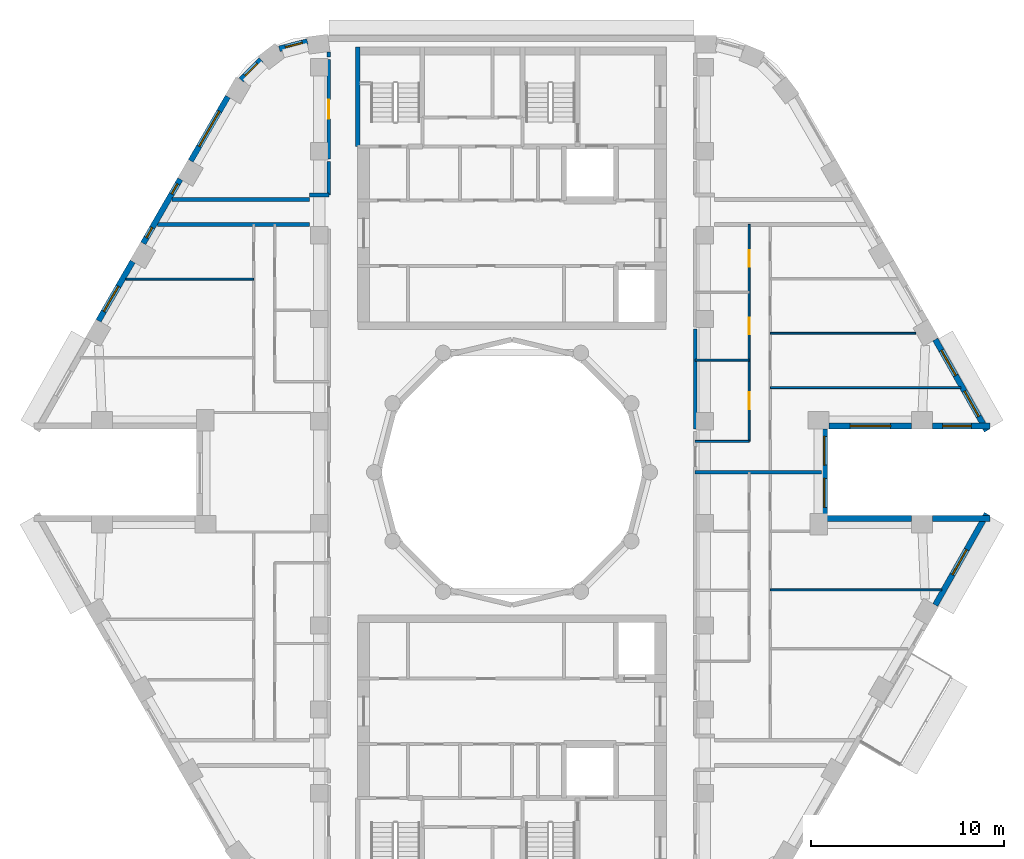
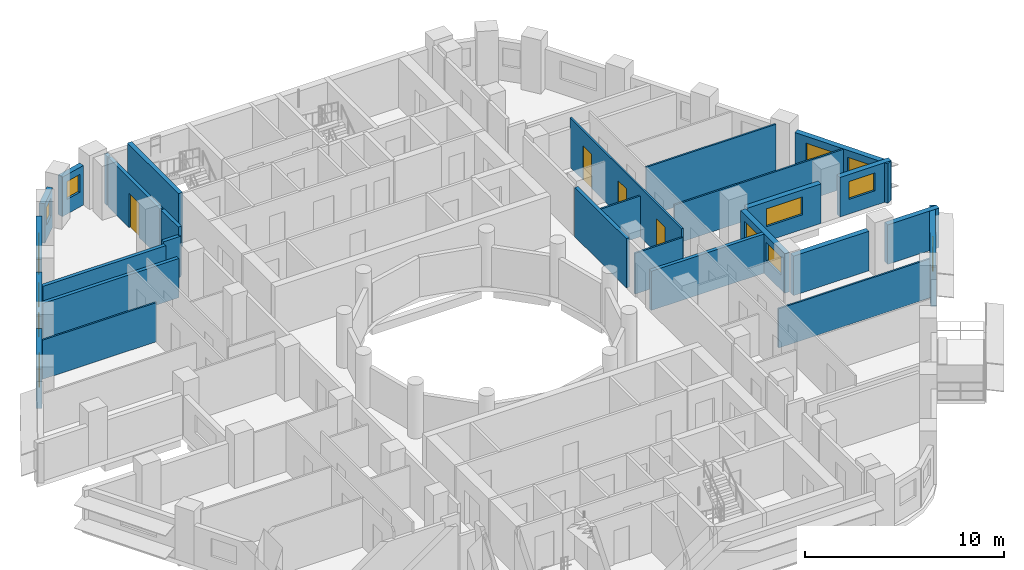
# One storey, part 6 of 12: 28 walls, 13 windows, 4 doors, 17 openings.
"""IFC4 building model written with IfcOpenShell, lengths in metres."""

from ifc_helpers import new_model, si_unit, direction, frame, frame_2d, origin, place, context, subcontext, project, spatial, rectangle, extrude, material, layer, layer_set, type_object, element, fill, save


model = new_model("IFC4")

# Units and contexts
model_context = context("Model", 3, precision=1e-05, world=origin(), true_north=direction((0.0, 1.0)))
body_context = subcontext(model_context, "Body", "Model", "MODEL_VIEW")
ifc_project = project(units=[si_unit("LENGTHUNIT", "METRE"), si_unit("AREAUNIT", "SQUARE_METRE"), si_unit("VOLUMEUNIT", "CUBIC_METRE"), si_unit("PLANEANGLEUNIT", "RADIAN"), si_unit("MASSUNIT", "GRAM", prefix="KILO")], contexts=[model_context])

# Site, building, storey
site_placement = place(None, origin())
site = spatial("IfcSite", under=ifc_project, at=site_placement, CompositionType="ELEMENT")
building_placement = place(site_placement, origin())
building = spatial("IfcBuilding", under=site, at=building_placement, Name="Nakaniwa Court", CompositionType="ELEMENT")
storey_placement = place(building_placement, frame((0.0, 0.0, 229.5)))
storey = spatial("IfcBuildingStorey", under=building, at=storey_placement, Name="L59", CompositionType="ELEMENT", Elevation=229.5)

# Walls
ifc_material_1 = material(Name="Acoustic double stud partition")
ifc_layer_1 = layer(ifc_material_1, 0.199951171875)
ifc_layer_set_1 = layer_set([ifc_layer_1], Name="Acoustic double stud partition")
wall_type_1 = type_object("IfcWallType", Name="Acoustic double stud partition 200", PredefinedType="PARTITIONING", material=ifc_layer_set_1)
wall_1_placement = place(storey_placement, frame((89.5, 82.237060546875, 0.0), z_axis=(0.0, 0.0, 1.0), x_axis=(0.0, 1.0, 0.0)))
element("IfcWall", 1, at=wall_1_placement, inside=storey, type_object=wall_type_1, Name="Partition PW-062", PredefinedType="PARTITIONING", context=body_context, shape_type="SweptSolid", body=[
    extrude(rectangle(XDim=5.18603515625, YDim=0.199951171875, at=frame_2d((2.593017578125, 0.0))), origin(), (0.0, 0.0, 1.0), 3.02490234375),
])
wall_2_placement = place(storey_placement, frame((61.611328125, 92.85009765625, 0.0), z_axis=(0.0, 0.0, 1.0), x_axis=(1.0, 0.0, 0.0)))
element("IfcWall", 2, at=wall_2_placement, inside=storey, type_object=wall_type_1, Name="Partition PW-067", PredefinedType="PARTITIONING", context=body_context, shape_type="SweptSolid", body=[
    extrude(rectangle(XDim=7.888671875, YDim=0.199951171875, at=frame_2d((3.9443359375, 0.0))), origin(), (0.0, 0.0, 1.0), 2.405029296875),
])
wall_3_placement = place(storey_placement, frame((69.5, 94.375, 0.0), z_axis=(0.0, 0.0, 1.0), x_axis=(1.0, 0.0, 0.0)))
element("IfcWall", 3, at=wall_3_placement, inside=storey, type_object=wall_type_1, Name="Partition PW-069", PredefinedType="PARTITIONING", context=body_context, shape_type="SweptSolid", body=[
    extrude(rectangle(XDim=1.0, YDim=0.199951171875, at=frame_2d((0.5, 0.0))), origin(), (0.0, 0.0, 1.0), 2.5048828125),
])
wall_4_placement = place(storey_placement, frame((62.36181640625, 94.14990234375, 0.0), z_axis=(0.0, 0.0, 1.0), x_axis=(1.0, 0.0, 0.0)))
element("IfcWall", 4, at=wall_4_placement, inside=storey, type_object=wall_type_1, Name="Partition PW-071", PredefinedType="PARTITIONING", context=body_context, shape_type="SweptSolid", body=[
    extrude(rectangle(XDim=7.13818359375, YDim=0.199951171875, at=frame_2d((3.569091796875, 0.0))), origin(), (0.0, 0.0, 1.0), 2.405029296875),
])
wall_5_placement = place(storey_placement, frame((70.5, 94.3720703125, 0.0), z_axis=(0.0, 0.0, 1.0), x_axis=(0.0, 1.0, 0.0)))
element("IfcWall", 5, at=wall_5_placement, inside=storey, type_object=wall_type_1, Name="Partition PW-087", PredefinedType="PARTITIONING", context=body_context, shape_type="SweptSolid", body=[
    extrude(rectangle(XDim=1.7509765625, YDim=0.199951171875, at=frame_2d((0.87548828125, 0.0))), origin(), (0.0, 0.0, 1.0), 3.02490234375),
])

# Wall, opening, door
wall_6_placement = place(storey_placement, frame((70.5, 96.237060546875, 0.0), z_axis=(0.0, 0.0, 1.0), x_axis=(0.0, 1.0, 0.0)))
wall_6 = element("IfcWall", 6, at=wall_6_placement, inside=storey, type_object=wall_type_1, Name="Partition PW-088", PredefinedType="PARTITIONING", context=body_context, shape_type="SweptSolid", body=[
    extrude(rectangle(XDim=5.176025390625, YDim=0.199951171875, at=frame_2d((2.587890625, 0.0))), origin(), (0.0, 0.0, 1.0), 3.02490234375),
])
opening_1_placement = place(wall_6_placement, frame((2.087890625, 0.0, 0.0)))
opening_1 = element("IfcOpeningElement", 7, at=opening_1_placement, cuts=wall_6, Name="Opening D-02-05", PredefinedType="OPENING", context=body_context, shape_type="SweptSolid", body=[
    extrude(rectangle(XDim=1.0, YDim=2.10009765625, at=frame_2d((0.5, 1.050048828125))), frame((0.0, 0.10986328125, 0.0), z_axis=(0.0, -1.0, 0.0), x_axis=(1.0, 0.0, 0.0)), (0.0, 0.0, 1.0), 0.219970703125),
])
ifc_material_2 = material(Name="Solid core timber door set, black veneer", Category="wood")
door_type_1 = type_object("IfcDoorType", Name="Internal door 1000", OperationType="NOTDEFINED", PredefinedType="DOOR", material=ifc_material_2)
door_1_placement = place(opening_1_placement, origin())
door_1 = element("IfcDoor", 8, at=door_1_placement, inside=storey, type_object=door_type_1, Name="Door D-02-05 L59-061", OperationType="SINGLE_SWING_RIGHT", OverallHeight=2.10009765625, OverallWidth=1.0, PredefinedType="DOOR", context=body_context, shape_type="SweptSolid", body=[
    extrude(rectangle(XDim=1.0, YDim=2.10009765625, at=frame_2d((0.5, 1.050048828125))), frame((0.0, 0.02490234375, 0.0), z_axis=(0.0, -1.0, 0.0), x_axis=(1.0, 0.0, 0.0)), (0.0, 0.0, 1.0), 0.050048828125),
])
fill(opening_1, door_1)

# Walls
wall_7_placement = place(storey_placement, frame((70.5, 101.527099609375, 0.0), z_axis=(0.0, 0.0, 1.0), x_axis=(0.0, 1.0, 0.0)))
element("IfcWall", 9, at=wall_7_placement, inside=storey, type_object=wall_type_1, Name="Partition PW-089", PredefinedType="PARTITIONING", context=body_context, shape_type="SweptSolid", body=[
    extrude(rectangle(XDim=0.273681640625, YDim=0.199951171875, at=frame_2d((0.13671875, 0.0))), origin(), (0.0, 0.0, 1.0), 3.02490234375),
])
wall_8_placement = place(storey_placement, frame((89.5, 80.0, 0.0), z_axis=(0.0, 0.0, 1.0), x_axis=(1.0, 0.0, 0.0)))
element("IfcWall", 10, at=wall_8_placement, inside=storey, type_object=wall_type_1, Name="Partition PW-095", PredefinedType="PARTITIONING", context=body_context, shape_type="SweptSolid", body=[
    extrude(rectangle(XDim=6.549560546875, YDim=0.199951171875, at=frame_2d((3.27490234375, 0.0))), origin(), (0.0, 0.0, 1.0), 2.405029296875),
])

# Wall, opening, window
ifc_material_3 = material(Name="Charcoal ceramic cladding")
ifc_layer_2 = layer(ifc_material_3, 0.02, Name="Ceramic cladding")
ifc_material_4 = material(Name="Ventilated air cavity")
ifc_layer_3 = layer(ifc_material_4, 0.04, ventilated=True, Name="Ventilated cavity")
ifc_material_5 = material(Name="Mineral wool insulation")
ifc_layer_4 = layer(ifc_material_5, 0.1, Name="Insulation")
ifc_material_6 = material(Name="Cement bonded sheathing board")
ifc_layer_5 = layer(ifc_material_6, 0.012, Name="Sheathing")
ifc_material_7 = material(Name="Cold-formed galvanised stud frame with mineral wool infill")
ifc_layer_6 = layer(ifc_material_7, 0.1, Name="Stud frame")
ifc_material_8 = material(Name="Fire-rated gypsum plasterboard lining")
ifc_layer_7 = layer(ifc_material_8, 0.028, Name="Lining")
ifc_layer_set_2 = layer_set([ifc_layer_2, ifc_layer_3, ifc_layer_4, ifc_layer_5, ifc_layer_6, ifc_layer_7], Name="Charcoal ceramic faced external wall system")
wall_type_2 = type_object("IfcWallType", Name="Black ceramic faced external wall 300", PredefinedType="SOLIDWALL", material=ifc_layer_set_2)
wall_9_placement = place(storey_placement, frame((96.445556640625, 82.39990234375, 0.0), z_axis=(0.0, 0.0, 1.0), x_axis=(1.0, 0.0, 0.0)))
wall_9 = element("IfcWall", 11, at=wall_9_placement, inside=storey, type_object=wall_type_2, Name="L59 external wall 00", PredefinedType="SOLIDWALL", context=body_context, shape_type="SweptSolid", body=[
    extrude(rectangle(XDim=4.2724609375, YDim=0.300048828125, at=frame_2d((2.13623046875, 0.0))), origin(), (0.0, 0.0, 1.0), 2.425048828125),
])
opening_2_placement = place(wall_9_placement, frame((1.086181640625, 0.0, 0.89990234375)))
opening_2 = element("IfcOpeningElement", 12, at=opening_2_placement, cuts=wall_9, Name="Opening W7.01", PredefinedType="OPENING", context=body_context, shape_type="SweptSolid", body=[
    extrude(rectangle(XDim=2.10009765625, YDim=1.10009765625, at=frame_2d((1.050048828125, 0.550048828125))), frame((0.0, 0.159912109375, 0.0), z_axis=(0.0, -1.0, 0.0), x_axis=(1.0, 0.0, 0.0)), (0.0, 0.0, 1.0), 0.320068359375),
])
ifc_material_9 = material(Name="Black anodised aluminium frame with dark low-E laminated double glazing", Category="aluminium")
window_type_1 = type_object("IfcWindowType", Name="Dark glass window 2100x1100 sill 900", PartitioningType="SINGLE_PANEL", PredefinedType="WINDOW", material=ifc_material_9)
window_1_placement = place(opening_2_placement, origin())
window_1 = element("IfcWindow", 13, at=window_1_placement, inside=storey, type_object=window_type_1, Name="L59 living window 00-0", OverallHeight=1.10009765625, OverallWidth=2.10009765625, PartitioningType="SINGLE_PANEL", PredefinedType="WINDOW", context=body_context, shape_type="SweptSolid", body=[
    extrude(rectangle(XDim=2.10009765625, YDim=1.10009765625, at=frame_2d((1.050048828125, 0.550048828125))), frame((0.0, 0.030029296875, 0.0), z_axis=(0.0, -1.0, 0.0), x_axis=(1.0, 0.0, 0.0)), (0.0, 0.0, 1.0), 0.06005859375),
])
fill(opening_2, window_1)

wall_10_placement = place(storey_placement, frame((101.81005859375, 82.39990234375, 0.0), z_axis=(0.0, 0.0, 1.0), x_axis=(1.0, 0.0, 0.0)))
wall_10 = element("IfcWall", 14, at=wall_10_placement, inside=storey, type_object=wall_type_2, Name="L59 external wall 01", PredefinedType="SOLIDWALL", context=body_context, shape_type="SweptSolid", body=[
    extrude(rectangle(XDim=2.98779296875, YDim=0.300048828125, at=frame_2d((1.493896484375, 0.0))), origin(), (0.0, 0.0, 1.0), 2.425048828125),
])
opening_3_placement = place(wall_10_placement, frame((0.51904296875, 0.0, 0.89990234375)))
opening_3 = element("IfcOpeningElement", 15, at=opening_3_placement, cuts=wall_10, Name="Opening W5.02", PredefinedType="OPENING", context=body_context, shape_type="SweptSolid", body=[
    extrude(rectangle(XDim=1.5, YDim=1.10009765625, at=frame_2d((0.75, 0.550048828125))), frame((0.0, 0.159912109375, 0.0), z_axis=(0.0, -1.0, 0.0), x_axis=(1.0, 0.0, 0.0)), (0.0, 0.0, 1.0), 0.320068359375),
])
window_type_2 = type_object("IfcWindowType", Name="Dark glass window 1500x1100 sill 900", PartitioningType="SINGLE_PANEL", PredefinedType="WINDOW", material=ifc_material_9)
window_2_placement = place(opening_3_placement, origin())
window_2 = element("IfcWindow", 16, at=window_2_placement, inside=storey, type_object=window_type_2, Name="L59 living window 01-0", OverallHeight=1.10009765625, OverallWidth=1.5, PartitioningType="SINGLE_PANEL", PredefinedType="WINDOW", context=body_context, shape_type="SweptSolid", body=[
    extrude(rectangle(XDim=1.5, YDim=1.10009765625, at=frame_2d((0.75, 0.550048828125))), frame((0.0, 0.030029296875, 0.0), z_axis=(0.0, -1.0, 0.0), x_axis=(1.0, 0.0, 0.0)), (0.0, 0.0, 1.0), 0.06005859375),
])
fill(opening_3, window_2)

# Wall, openings, windows
wall_11_placement = place(storey_placement, frame((104.627197265625, 82.153564453125, 0.0), z_axis=(0.0, 0.0, 1.0), x_axis=(-0.492080931903, 0.870549456641, 0.0)))
wall_11 = element("IfcWall", 17, at=wall_11_placement, inside=storey, type_object=wall_type_2, Name="L59 external wall 02", PredefinedType="SOLIDWALL", context=body_context, shape_type="SweptSolid", body=[
    extrude(rectangle(XDim=5.436767578125, YDim=0.300048828125, at=frame_2d((2.71826171875, 0.0))), origin(), (0.0, 0.0, 1.0), 2.425048828125),
])
opening_4_placement = place(wall_11_placement, frame((0.857177734375, 0.0, 0.89990234375)))
opening_4 = element("IfcOpeningElement", 18, at=opening_4_placement, cuts=wall_11, Name="Opening W5.03", PredefinedType="OPENING", context=body_context, shape_type="SweptSolid", body=[
    extrude(rectangle(XDim=1.5, YDim=1.10009765625, at=frame_2d((0.75, 0.550048828125))), frame((0.0, 0.159912109375, 0.0), z_axis=(0.0, -1.0, 0.0), x_axis=(1.0, 0.0, 0.0)), (0.0, 0.0, 1.0), 0.320068359375),
])
opening_5_placement = place(wall_11_placement, frame((3.287109375, 0.0, 0.89990234375)))
opening_5 = element("IfcOpeningElement", 19, at=opening_5_placement, cuts=wall_11, Name="Opening W5.04", PredefinedType="OPENING", context=body_context, shape_type="SweptSolid", body=[
    extrude(rectangle(XDim=1.5, YDim=1.10009765625, at=frame_2d((0.75, 0.550048828125))), frame((0.0, 0.159912109375, 0.0), z_axis=(0.0, -1.0, 0.0), x_axis=(1.0, 0.0, 0.0)), (0.0, 0.0, 1.0), 0.320068359375),
])
window_3_placement = place(opening_4_placement, origin())
window_3 = element("IfcWindow", 20, at=window_3_placement, inside=storey, type_object=window_type_2, Name="L59 living window 02-0", OverallHeight=1.10009765625, OverallWidth=1.5, PartitioningType="SINGLE_PANEL", PredefinedType="WINDOW", context=body_context, shape_type="SweptSolid", body=[
    extrude(rectangle(XDim=1.5, YDim=1.10009765625, at=frame_2d((0.75, 0.550048828125))), frame((0.0, 0.030029296875, 0.0), z_axis=(0.0, -1.0, 0.0), x_axis=(1.0, 0.0, 0.0)), (0.0, 0.0, 1.0), 0.06005859375),
])
fill(opening_4, window_3)
window_4_placement = place(opening_5_placement, origin())
window_4 = element("IfcWindow", 21, at=window_4_placement, inside=storey, type_object=window_type_2, Name="L59 bedroom window 02-1", OverallHeight=1.10009765625, OverallWidth=1.5, PartitioningType="SINGLE_PANEL", PredefinedType="WINDOW", context=body_context, shape_type="SweptSolid", body=[
    extrude(rectangle(XDim=1.5, YDim=1.10009765625, at=frame_2d((0.75, 0.550048828125))), frame((0.0, 0.030029296875, 0.0), z_axis=(0.0, -1.0, 0.0), x_axis=(1.0, 0.0, 0.0)), (0.0, 0.0, 1.0), 0.06005859375),
])
fill(opening_5, window_4)

# Wall, opening, window
wall_12_placement = place(storey_placement, frame((69.386474609375, 102.333251953125, 0.0), z_axis=(0.0, 0.0, 1.0), x_axis=(-0.968895303033, -0.247470991757, 0.0)))
wall_12 = element("IfcWall", 22, at=wall_12_placement, inside=storey, type_object=wall_type_2, Name="L59 external wall 09", PredefinedType="SOLIDWALL", context=body_context, shape_type="SweptSolid", body=[
    extrude(rectangle(XDim=1.50048828125, YDim=0.300048828125, at=frame_2d((0.750244140625, 0.0))), origin(), (0.0, 0.0, 1.0), 2.425048828125),
])
opening_6_placement = place(wall_12_placement, frame((0.27587890625, 0.0, 0.89990234375)))
opening_6 = element("IfcOpeningElement", 23, at=opening_6_placement, cuts=wall_12, Name="Opening W9.11", PredefinedType="OPENING", context=body_context, shape_type="SweptSolid", body=[
    extrude(rectangle(XDim=0.89990234375, YDim=1.10009765625, at=frame_2d((0.449951171875, 0.550048828125))), frame((0.0, 0.159912109375, 0.0), z_axis=(0.0, -1.0, 0.0), x_axis=(1.0, 0.0, 0.0)), (0.0, 0.0, 1.0), 0.320068359375),
])
window_type_3 = type_object("IfcWindowType", Name="Dark glass window 900x1100 sill 900", PartitioningType="SINGLE_PANEL", PredefinedType="WINDOW", material=ifc_material_9)
window_5_placement = place(opening_6_placement, origin())
window_5 = element("IfcWindow", 24, at=window_5_placement, inside=storey, type_object=window_type_3, Name="L59 habitable room window 09-0", OverallHeight=1.10009765625, OverallWidth=0.89990234375, PartitioningType="SINGLE_PANEL", PredefinedType="WINDOW", context=body_context, shape_type="SweptSolid", body=[
    extrude(rectangle(XDim=0.89990234375, YDim=1.10009765625, at=frame_2d((0.449951171875, 0.550048828125))), frame((0.0, 0.030029296875, 0.0), z_axis=(0.0, -1.0, 0.0), x_axis=(1.0, 0.0, 0.0)), (0.0, 0.0, 1.0), 0.06005859375),
])
fill(opening_6, window_5)

wall_13_placement = place(storey_placement, frame((66.99560546875, 101.388427734375, 0.0), z_axis=(0.0, 0.0, 1.0), x_axis=(-0.708589353117, -0.705621094249, 0.0)))
wall_13 = element("IfcWall", 25, at=wall_13_placement, inside=storey, type_object=wall_type_2, Name="L59 external wall 10", PredefinedType="SOLIDWALL", context=body_context, shape_type="SweptSolid", body=[
    extrude(rectangle(XDim=1.48046875, YDim=0.300048828125, at=frame_2d((0.740234375, 0.0))), origin(), (0.0, 0.0, 1.0), 2.425048828125),
])
opening_7_placement = place(wall_13_placement, frame((0.27978515625, 0.0, 0.89990234375)))
opening_7 = element("IfcOpeningElement", 26, at=opening_7_placement, cuts=wall_13, Name="Opening W9.12", PredefinedType="OPENING", context=body_context, shape_type="SweptSolid", body=[
    extrude(rectangle(XDim=0.89990234375, YDim=1.10009765625, at=frame_2d((0.449951171875, 0.550048828125))), frame((0.0, 0.159912109375, 0.0), z_axis=(0.0, -1.0, 0.0), x_axis=(1.0, 0.0, 0.0)), (0.0, 0.0, 1.0), 0.320068359375),
])
window_6_placement = place(opening_7_placement, origin())
window_6 = element("IfcWindow", 27, at=window_6_placement, inside=storey, type_object=window_type_3, Name="L59 habitable room window 10-0", OverallHeight=1.10009765625, OverallWidth=0.89990234375, PartitioningType="SINGLE_PANEL", PredefinedType="WINDOW", context=body_context, shape_type="SweptSolid", body=[
    extrude(rectangle(XDim=0.89990234375, YDim=1.10009765625, at=frame_2d((0.449951171875, 0.550048828125))), frame((0.0, 0.030029296875, 0.0), z_axis=(0.0, -1.0, 0.0), x_axis=(1.0, 0.0, 0.0)), (0.0, 0.0, 1.0), 0.06005859375),
])
fill(opening_7, window_6)

wall_14_placement = place(storey_placement, frame((65.26416015625, 99.476806640625, 0.0), z_axis=(0.0, 0.0, 1.0), x_axis=(-0.499984490703, -0.866034357896, 0.0)))
wall_14 = element("IfcWall", 28, at=wall_14_placement, inside=storey, type_object=wall_type_2, Name="L59 external wall 11", PredefinedType="SOLIDWALL", context=body_context, shape_type="SweptSolid", body=[
    extrude(rectangle(XDim=3.84423828125, YDim=0.300048828125, at=frame_2d((1.922119140625, 0.0))), origin(), (0.0, 0.0, 1.0), 2.425048828125),
])
opening_8_placement = place(wall_14_placement, frame((0.8720703125, 0.0, 0.89990234375)))
opening_8 = element("IfcOpeningElement", 29, at=opening_8_placement, cuts=wall_14, Name="Opening W7.13", PredefinedType="OPENING", context=body_context, shape_type="SweptSolid", body=[
    extrude(rectangle(XDim=2.10009765625, YDim=1.10009765625, at=frame_2d((1.050048828125, 0.550048828125))), frame((0.0, 0.159912109375, 0.0), z_axis=(0.0, -1.0, 0.0), x_axis=(1.0, 0.0, 0.0)), (0.0, 0.0, 1.0), 0.320068359375),
])
window_7_placement = place(opening_8_placement, origin())
window_7 = element("IfcWindow", 30, at=window_7_placement, inside=storey, type_object=window_type_1, Name="L59 habitable room window 11-0", OverallHeight=1.10009765625, OverallWidth=2.10009765625, PartitioningType="SINGLE_PANEL", PredefinedType="WINDOW", context=body_context, shape_type="SweptSolid", body=[
    extrude(rectangle(XDim=2.10009765625, YDim=1.10009765625, at=frame_2d((1.050048828125, 0.550048828125))), frame((0.0, 0.030029296875, 0.0), z_axis=(0.0, -1.0, 0.0), x_axis=(1.0, 0.0, 0.0)), (0.0, 0.0, 1.0), 0.06005859375),
])
fill(opening_8, window_7)

# Wall, openings, windows
wall_15_placement = place(storey_placement, frame((62.7958984375, 95.201904296875, 0.0), z_axis=(0.0, 0.0, 1.0), x_axis=(-0.499984490703, -0.866034357896, 0.0)))
wall_15 = element("IfcWall", 31, at=wall_15_placement, inside=storey, type_object=wall_type_2, Name="L59 external wall 12", PredefinedType="SOLIDWALL", context=body_context, shape_type="SweptSolid", body=[
    extrude(rectangle(XDim=3.84423828125, YDim=0.300048828125, at=frame_2d((1.922119140625, 0.0))), origin(), (0.0, 0.0, 1.0), 2.425048828125),
])
opening_9_placement = place(wall_15_placement, frame((0.283203125, 0.0, 0.89990234375)))
opening_9 = element("IfcOpeningElement", 32, at=opening_9_placement, cuts=wall_15, Name="Opening W8.14", PredefinedType="OPENING", context=body_context, shape_type="SweptSolid", body=[
    extrude(rectangle(XDim=0.60009765625, YDim=1.10009765625, at=frame_2d((0.300048828125, 0.550048828125))), frame((0.0, 0.159912109375, 0.0), z_axis=(0.0, -1.0, 0.0), x_axis=(1.0, 0.0, 0.0)), (0.0, 0.0, 1.0), 0.320068359375),
])
opening_10_placement = place(wall_15_placement, frame((2.906005859375, 0.0, 0.89990234375)))
opening_10 = element("IfcOpeningElement", 33, at=opening_10_placement, cuts=wall_15, Name="Opening W8.15", PredefinedType="OPENING", context=body_context, shape_type="SweptSolid", body=[
    extrude(rectangle(XDim=0.60009765625, YDim=1.10009765625, at=frame_2d((0.300048828125, 0.550048828125))), frame((0.0, 0.159912109375, 0.0), z_axis=(0.0, -1.0, 0.0), x_axis=(1.0, 0.0, 0.0)), (0.0, 0.0, 1.0), 0.320068359375),
])
window_type_4 = type_object("IfcWindowType", Name="Dark glass window 600x1100 sill 900", PartitioningType="SINGLE_PANEL", PredefinedType="WINDOW", material=ifc_material_9)
window_8_placement = place(opening_9_placement, origin())
window_8 = element("IfcWindow", 34, at=window_8_placement, inside=storey, type_object=window_type_4, Name="L59 habitable room window 12-0", OverallHeight=1.10009765625, OverallWidth=0.60009765625, PartitioningType="SINGLE_PANEL", PredefinedType="WINDOW", context=body_context, shape_type="SweptSolid", body=[
    extrude(rectangle(XDim=0.60009765625, YDim=1.10009765625, at=frame_2d((0.300048828125, 0.550048828125))), frame((0.0, 0.030029296875, 0.0), z_axis=(0.0, -1.0, 0.0), x_axis=(1.0, 0.0, 0.0)), (0.0, 0.0, 1.0), 0.06005859375),
])
fill(opening_9, window_8)
window_9_placement = place(opening_10_placement, origin())
window_9 = element("IfcWindow", 35, at=window_9_placement, inside=storey, type_object=window_type_4, Name="L59 bedroom window 12-2", OverallHeight=1.10009765625, OverallWidth=0.60009765625, PartitioningType="SINGLE_PANEL", PredefinedType="WINDOW", context=body_context, shape_type="SweptSolid", body=[
    extrude(rectangle(XDim=0.60009765625, YDim=1.10009765625, at=frame_2d((0.300048828125, 0.550048828125))), frame((0.0, 0.030029296875, 0.0), z_axis=(0.0, -1.0, 0.0), x_axis=(1.0, 0.0, 0.0)), (0.0, 0.0, 1.0), 0.06005859375),
])
fill(opening_10, window_9)

# Wall, opening, window
wall_16_placement = place(storey_placement, frame((60.327880859375, 90.927001953125, 0.0), z_axis=(0.0, 0.0, 1.0), x_axis=(-0.500010404316, -0.866019396766, 0.0)))
wall_16 = element("IfcWall", 36, at=wall_16_placement, inside=storey, type_object=wall_type_2, Name="L59 external wall 13", PredefinedType="SOLIDWALL", context=body_context, shape_type="SweptSolid", body=[
    extrude(rectangle(XDim=3.54736328125, YDim=0.300048828125, at=frame_2d((1.773681640625, 0.0))), origin(), (0.0, 0.0, 1.0), 2.425048828125),
])
opening_11_placement = place(wall_16_placement, frame((1.486328125, 0.0, 0.89990234375)))
opening_11 = element("IfcOpeningElement", 37, at=opening_11_placement, cuts=wall_16, Name="Opening W5.16", PredefinedType="OPENING", context=body_context, shape_type="SweptSolid", body=[
    extrude(rectangle(XDim=1.5, YDim=1.10009765625, at=frame_2d((0.75, 0.550048828125))), frame((0.0, 0.159912109375, 0.0), z_axis=(0.0, -1.0, 0.0), x_axis=(1.0, 0.0, 0.0)), (0.0, 0.0, 1.0), 0.320068359375),
])
window_10_placement = place(opening_11_placement, origin())
window_10 = element("IfcWindow", 38, at=window_10_placement, inside=storey, type_object=window_type_2, Name="L59 living window 13-1", OverallHeight=1.10009765625, OverallWidth=1.5, PartitioningType="SINGLE_PANEL", PredefinedType="WINDOW", context=body_context, shape_type="SweptSolid", body=[
    extrude(rectangle(XDim=1.5, YDim=1.10009765625, at=frame_2d((0.75, 0.550048828125))), frame((0.0, 0.030029296875, 0.0), z_axis=(0.0, -1.0, 0.0), x_axis=(1.0, 0.0, 0.0)), (0.0, 0.0, 1.0), 0.06005859375),
])
fill(opening_11, window_10)

wall_17_placement = place(storey_placement, frame((101.951904296875, 73.113525390625, 0.0), z_axis=(0.0, 0.0, 1.0), x_axis=(0.492080931903, 0.870549456641, 0.0)))
wall_17 = element("IfcWall", 39, at=wall_17_placement, inside=storey, type_object=wall_type_2, Name="L59 external wall 32", PredefinedType="SOLIDWALL", context=body_context, shape_type="SweptSolid", body=[
    extrude(rectangle(XDim=5.436767578125, YDim=0.300048828125, at=frame_2d((2.71826171875, 0.0))), origin(), (0.0, 0.0, 1.0), 2.425048828125),
])
opening_12_placement = place(wall_17_placement, frame((1.806884765625, 0.0, 0.89990234375)))
opening_12 = element("IfcOpeningElement", 40, at=opening_12_placement, cuts=wall_17, Name="Opening W5.30", PredefinedType="OPENING", context=body_context, shape_type="SweptSolid", body=[
    extrude(rectangle(XDim=1.5, YDim=1.10009765625, at=frame_2d((0.75, 0.550048828125))), frame((0.0, 0.159912109375, 0.0), z_axis=(0.0, -1.0, 0.0), x_axis=(1.0, 0.0, 0.0)), (0.0, 0.0, 1.0), 0.320068359375),
])
window_11_placement = place(opening_12_placement, origin())
window_11 = element("IfcWindow", 41, at=window_11_placement, inside=storey, type_object=window_type_2, Name="L59 bedroom window 32-1", OverallHeight=1.10009765625, OverallWidth=1.5, PartitioningType="SINGLE_PANEL", PredefinedType="WINDOW", context=body_context, shape_type="SweptSolid", body=[
    extrude(rectangle(XDim=1.5, YDim=1.10009765625, at=frame_2d((0.75, 0.550048828125))), frame((0.0, 0.030029296875, 0.0), z_axis=(0.0, -1.0, 0.0), x_axis=(1.0, 0.0, 0.0)), (0.0, 0.0, 1.0), 0.06005859375),
])
fill(opening_12, window_11)

# Walls
wall_18_placement = place(storey_placement, frame((104.7978515625, 77.60009765625, 0.0), z_axis=(0.0, 0.0, 1.0), x_axis=(-1.0, 0.0, 0.0)))
element("IfcWall", 42, at=wall_18_placement, inside=storey, type_object=wall_type_2, Name="L59 external wall 33", PredefinedType="SOLIDWALL", context=body_context, shape_type="SweptSolid", body=[
    extrude(rectangle(XDim=2.98779296875, YDim=0.300048828125, at=frame_2d((1.493896484375, 0.0))), origin(), (0.0, 0.0, 1.0), 2.425048828125),
])
wall_19_placement = place(storey_placement, frame((100.718017578125, 77.60009765625, 0.0), z_axis=(0.0, 0.0, 1.0), x_axis=(-1.0, 0.0, 0.0)))
element("IfcWall", 43, at=wall_19_placement, inside=storey, type_object=wall_type_2, Name="L59 external wall 34", PredefinedType="SOLIDWALL", context=body_context, shape_type="SweptSolid", body=[
    extrude(rectangle(XDim=4.37255859375, YDim=0.300048828125, at=frame_2d((2.186279296875, 0.0))), origin(), (0.0, 0.0, 1.0), 2.425048828125),
])

# Wall, openings, windows
wall_20_placement = place(storey_placement, frame((96.199462890625, 77.845947265625, 0.0), z_axis=(0.0, 0.0, 1.0), x_axis=(0.0, 1.0, 0.0)))
wall_20 = element("IfcWall", 44, at=wall_20_placement, inside=storey, type_object=wall_type_2, Name="L59 external wall 35", PredefinedType="SOLIDWALL", context=body_context, shape_type="SweptSolid", body=[
    extrude(rectangle(XDim=4.407958984375, YDim=0.300048828125, at=frame_2d((2.2041015625, 0.0))), origin(), (0.0, 0.0, 1.0), 2.425048828125),
])
opening_13_placement = place(wall_20_placement, frame((0.339111328125, 0.0, 0.89990234375)))
opening_13 = element("IfcOpeningElement", 45, at=opening_13_placement, cuts=wall_20, Name="Opening W5.31", PredefinedType="OPENING", context=body_context, shape_type="SweptSolid", body=[
    extrude(rectangle(XDim=1.5, YDim=1.10009765625, at=frame_2d((0.75, 0.550048828125))), frame((0.0, 0.159912109375, 0.0), z_axis=(0.0, -1.0, 0.0), x_axis=(1.0, 0.0, 0.0)), (0.0, 0.0, 1.0), 0.320068359375),
])
opening_14_placement = place(wall_20_placement, frame((2.51904296875, 0.0, 0.89990234375)))
opening_14 = element("IfcOpeningElement", 46, at=opening_14_placement, cuts=wall_20, Name="Opening W5.32", PredefinedType="OPENING", context=body_context, shape_type="SweptSolid", body=[
    extrude(rectangle(XDim=1.5, YDim=1.10009765625, at=frame_2d((0.75, 0.550048828125))), frame((0.0, 0.159912109375, 0.0), z_axis=(0.0, -1.0, 0.0), x_axis=(1.0, 0.0, 0.0)), (0.0, 0.0, 1.0), 0.320068359375),
])
window_12_placement = place(opening_13_placement, origin())
window_12 = element("IfcWindow", 47, at=window_12_placement, inside=storey, type_object=window_type_2, Name="L59 bedroom window 35-0", OverallHeight=1.10009765625, OverallWidth=1.5, PartitioningType="SINGLE_PANEL", PredefinedType="WINDOW", context=body_context, shape_type="SweptSolid", body=[
    extrude(rectangle(XDim=1.5, YDim=1.10009765625, at=frame_2d((0.75, 0.550048828125))), frame((0.0, 0.030029296875, 0.0), z_axis=(0.0, -1.0, 0.0), x_axis=(1.0, 0.0, 0.0)), (0.0, 0.0, 1.0), 0.06005859375),
])
fill(opening_13, window_12)
window_13_placement = place(opening_14_placement, origin())
window_13 = element("IfcWindow", 48, at=window_13_placement, inside=storey, type_object=window_type_2, Name="L59 living window 35-1", OverallHeight=1.10009765625, OverallWidth=1.5, PartitioningType="SINGLE_PANEL", PredefinedType="WINDOW", context=body_context, shape_type="SweptSolid", body=[
    extrude(rectangle(XDim=1.5, YDim=1.10009765625, at=frame_2d((0.75, 0.550048828125))), frame((0.0, 0.030029296875, 0.0), z_axis=(0.0, -1.0, 0.0), x_axis=(1.0, 0.0, 0.0)), (0.0, 0.0, 1.0), 0.06005859375),
])
fill(opening_14, window_13)

# Wall
ifc_material_10 = material(Name="Concrete C80/100", Category="concrete")
ifc_layer_8 = layer(ifc_material_10, 0.25)
ifc_layer_set_3 = layer_set([ifc_layer_8], Name="Concrete C80/100")
wall_type_3 = type_object("IfcWallType", Name="Concrete core wall 250 C80", PredefinedType="SHEAR", material=ifc_layer_set_3)
wall_21_placement = place(storey_placement, frame((72.0, 96.89990234375, -0.27490234375), z_axis=(0.0, 0.0, 1.0), x_axis=(0.0, 1.0, 0.0)))
element("IfcWall", 49, at=wall_21_placement, inside=storey, type_object=wall_type_3, Name="Core wall SW-23", PredefinedType="SHEAR", context=body_context, shape_type="SweptSolid", body=[
    extrude(rectangle(XDim=5.150146484375, YDim=0.25, at=frame_2d((2.5751953125, 0.0))), origin(), (0.0, 0.0, 1.0), 3.2998046875),
])

# Wall, openings, doors
ifc_material_11 = material(Name="Single stud plasterboard partition")
ifc_layer_9 = layer(ifc_material_11, 0.10009765625)
ifc_layer_set_4 = layer_set([ifc_layer_9], Name="Single stud plasterboard partition")
wall_type_4 = type_object("IfcWallType", Name="Single stud plasterboard partition 100", PredefinedType="PARTITIONING", material=ifc_layer_set_4)
wall_22_placement = place(storey_placement, frame((92.300048828125, 81.60009765625, 0.0), z_axis=(0.0, 0.0, 1.0), x_axis=(0.0, 1.0, 0.0)))
wall_22 = element("IfcWall", 50, at=wall_22_placement, inside=storey, type_object=wall_type_4, Name="Partition PW-092", PredefinedType="PARTITIONING", context=body_context, shape_type="SweptSolid", body=[
    extrude(rectangle(XDim=11.25, YDim=0.10009765625, at=frame_2d((5.625, 0.0))), origin(), (0.0, 0.0, 1.0), 3.02490234375),
])
opening_15_placement = place(wall_22_placement, frame((1.658935546875, 0.0, 0.0)))
opening_15 = element("IfcOpeningElement", 51, at=opening_15_placement, cuts=wall_22, Name="Opening D-33-06", PredefinedType="OPENING", context=body_context, shape_type="SweptSolid", body=[
    extrude(rectangle(XDim=0.89990234375, YDim=2.10009765625, at=frame_2d((0.449951171875, 1.050048828125))), frame((0.0, 0.06005859375, 0.0), z_axis=(0.0, -1.0, 0.0), x_axis=(1.0, 0.0, 0.0)), (0.0, 0.0, 1.0), 0.1201171875),
])
opening_16_placement = place(wall_22_placement, frame((5.552001953125, 0.0, 0.0)))
opening_16 = element("IfcOpeningElement", 52, at=opening_16_placement, cuts=wall_22, Name="Opening D-03-03", PredefinedType="OPENING", context=body_context, shape_type="SweptSolid", body=[
    extrude(rectangle(XDim=0.85009765625, YDim=2.10009765625, at=frame_2d((0.425048828125, 1.050048828125))), frame((0.0, 0.06005859375, 0.0), z_axis=(0.0, -1.0, 0.0), x_axis=(1.0, 0.0, 0.0)), (0.0, 0.0, 1.0), 0.1201171875),
])
opening_17_placement = place(wall_22_placement, frame((9.06689453125, 0.0, 0.0)))
opening_17 = element("IfcOpeningElement", 53, at=opening_17_placement, cuts=wall_22, Name="Opening D-03-04", PredefinedType="OPENING", context=body_context, shape_type="SweptSolid", body=[
    extrude(rectangle(XDim=0.85009765625, YDim=2.10009765625, at=frame_2d((0.425048828125, 1.050048828125))), frame((0.0, 0.06005859375, 0.0), z_axis=(0.0, -1.0, 0.0), x_axis=(1.0, 0.0, 0.0)), (0.0, 0.0, 1.0), 0.1201171875),
])
ifc_material_12 = material(Name="Moisture sealed timber door set", Category="wood")
door_type_2 = type_object("IfcDoorType", Name="Bathroom door 850", OperationType="NOTDEFINED", PredefinedType="DOOR", material=ifc_material_12)
door_2_placement = place(opening_16_placement, origin())
door_2 = element("IfcDoor", 54, at=door_2_placement, inside=storey, type_object=door_type_2, Name="Door D-03-03 L59-040", OperationType="SINGLE_SWING_LEFT", OverallHeight=2.10009765625, OverallWidth=0.85009765625, PredefinedType="DOOR", context=body_context, shape_type="SweptSolid", body=[
    extrude(rectangle(XDim=0.85009765625, YDim=2.10009765625, at=frame_2d((0.425048828125, 1.050048828125))), frame((0.0, 0.02490234375, 0.0), z_axis=(0.0, -1.0, 0.0), x_axis=(1.0, 0.0, 0.0)), (0.0, 0.0, 1.0), 0.050048828125),
])
fill(opening_16, door_2)
door_3_placement = place(opening_17_placement, origin())
door_3 = element("IfcDoor", 55, at=door_3_placement, inside=storey, type_object=door_type_2, Name="Door D-03-04 L59-041", OperationType="SINGLE_SWING_RIGHT", OverallHeight=2.10009765625, OverallWidth=0.85009765625, PredefinedType="DOOR", context=body_context, shape_type="SweptSolid", body=[
    extrude(rectangle(XDim=0.85009765625, YDim=2.10009765625, at=frame_2d((0.425048828125, 1.050048828125))), frame((0.0, 0.02490234375, 0.0), z_axis=(0.0, -1.0, 0.0), x_axis=(1.0, 0.0, 0.0)), (0.0, 0.0, 1.0), 0.050048828125),
])
fill(opening_17, door_3)
door_type_3 = type_object("IfcDoorType", Name="Internal door 900", OperationType="NOTDEFINED", PredefinedType="DOOR", material=ifc_material_2)
door_4_placement = place(opening_15_placement, origin())
door_4 = element("IfcDoor", 56, at=door_4_placement, inside=storey, type_object=door_type_3, Name="Door D-33-06 L59-039", OperationType="SINGLE_SWING_RIGHT", OverallHeight=2.10009765625, OverallWidth=0.89990234375, PredefinedType="DOOR", context=body_context, shape_type="SweptSolid", body=[
    extrude(rectangle(XDim=0.89990234375, YDim=2.10009765625, at=frame_2d((0.449951171875, 1.050048828125))), frame((0.0, 0.02490234375, 0.0), z_axis=(0.0, -1.0, 0.0), x_axis=(1.0, 0.0, 0.0)), (0.0, 0.0, 1.0), 0.050048828125),
])
fill(opening_15, door_4)

# Walls
wall_23_placement = place(storey_placement, frame((93.39990234375, 73.89794921875, 0.0), z_axis=(0.0, 0.0, 1.0), x_axis=(1.0, 0.0, 0.0)))
element("IfcWall", 57, at=wall_23_placement, inside=storey, type_object=wall_type_4, Name="Partition PW-098", PredefinedType="PARTITIONING", context=body_context, shape_type="SweptSolid", body=[
    extrude(rectangle(XDim=8.884521484375, YDim=0.10009765625, at=frame_2d((4.4423828125, 0.0))), origin(), (0.0, 0.0, 1.0), 2.405029296875),
])
for number, where, z_axis, x_axis, name in (
    (58, (89.5, 85.819091796875, 0.0), (0.0, 0.0, 1.0), (1.0, 0.0, 0.0), "Partition PW-100"),
    (59, (89.5, 81.60009765625, 0.0), (0.0, 0.0, 1.0), (1.0, 0.0, 0.0), "Partition PW-101"),
):
    element("IfcWall", number, at=place(storey_placement, frame(where, z_axis=z_axis, x_axis=x_axis)), inside=storey, type_object=wall_type_4, Name=name, PredefinedType="PARTITIONING", context=body_context, shape_type="SweptSolid", body=[
        extrude(rectangle(XDim=2.800048828125, YDim=0.10009765625, at=frame_2d((1.39990234375, 0.0))), origin(), (0.0, 0.0, 1.0), 2.5048828125),
    ])
wall_24_placement = place(storey_placement, frame((93.39990234375, 84.387939453125, 0.0), z_axis=(0.0, 0.0, 1.0), x_axis=(1.0, 0.0, 0.0)))
element("IfcWall", 60, at=wall_24_placement, inside=storey, type_object=wall_type_4, Name="Partition PW-103", PredefinedType="PARTITIONING", context=body_context, shape_type="SweptSolid", body=[
    extrude(rectangle(XDim=9.87451171875, YDim=0.10009765625, at=frame_2d((4.937255859375, 0.0))), origin(), (0.0, 0.0, 1.0), 2.405029296875),
])
wall_25_placement = place(storey_placement, frame((93.39990234375, 87.208984375, 0.0), z_axis=(0.0, 0.0, 1.0), x_axis=(1.0, 0.0, 0.0)))
element("IfcWall", 61, at=wall_25_placement, inside=storey, type_object=wall_type_4, Name="Partition PW-104", PredefinedType="PARTITIONING", context=body_context, shape_type="SweptSolid", body=[
    extrude(rectangle(XDim=7.530029296875, YDim=0.10009765625, at=frame_2d((3.76513671875, 0.0))), origin(), (0.0, 0.0, 1.0), 3.02490234375),
])
wall_26_placement = place(storey_placement, frame((59.97705078125, 90.01904296875, 0.0), z_axis=(0.0, 0.0, 1.0), x_axis=(1.0, 0.0, 0.0)))
element("IfcWall", 62, at=wall_26_placement, inside=storey, type_object=wall_type_4, Name="Partition PW-119", PredefinedType="PARTITIONING", context=body_context, shape_type="SweptSolid", body=[
    extrude(rectangle(XDim=6.623046875, YDim=0.10009765625, at=frame_2d((3.3115234375, 0.0))), origin(), (0.0, 0.0, 1.0), 2.405029296875),
])

save(model, "model.ifc")
